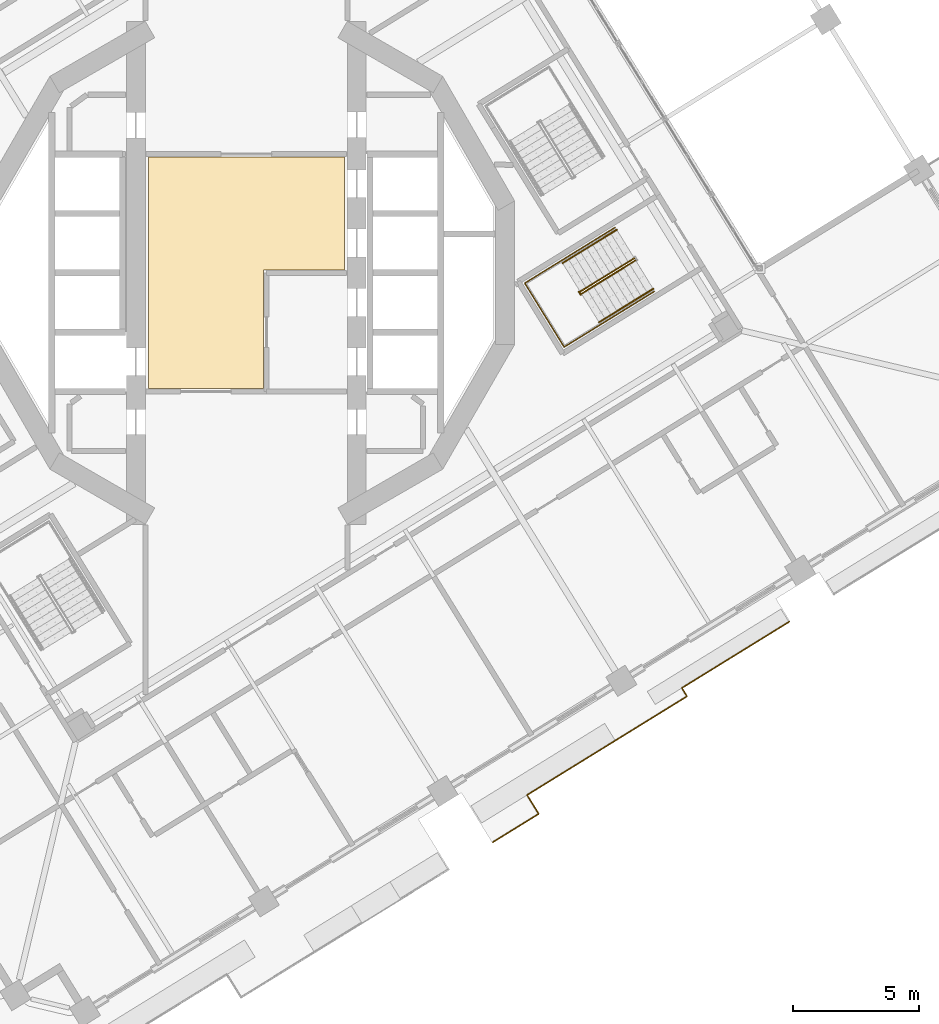
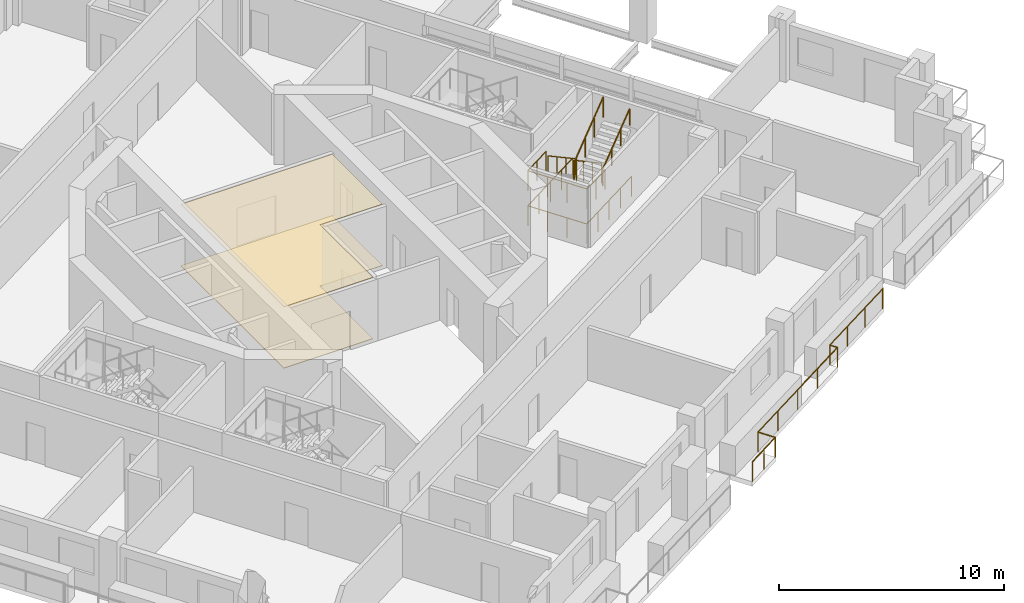
# One storey, part 16 of 21: 7 railings, 2 coverings.
"""IFC4 building model written with IfcOpenShell, lengths in metres."""

from ifc_helpers import new_model, si_unit, direction, frame, origin, origin_2d, place, context, subcontext, project, spatial, polyline, circle, outline, extrude, material, layer, layer_set, type_object, element, save


model = new_model("IFC4")

# Units and contexts
model_context = context("Model", 3, precision=1e-05, world=origin(), true_north=direction((0.0, 1.0)))
body_context = subcontext(model_context, "Body", "Model", "MODEL_VIEW")
ifc_project = project(units=[si_unit("LENGTHUNIT", "METRE"), si_unit("AREAUNIT", "SQUARE_METRE"), si_unit("VOLUMEUNIT", "CUBIC_METRE"), si_unit("PLANEANGLEUNIT", "RADIAN"), si_unit("MASSUNIT", "GRAM", prefix="KILO")], contexts=[model_context])

# Site, building, storey
site_placement = place(None, origin())
site = spatial("IfcSite", under=ifc_project, at=site_placement, CompositionType="ELEMENT")
building_placement = place(site_placement, origin())
building = spatial("IfcBuilding", under=site, at=building_placement, Name="Cantera Rosa Tower", CompositionType="ELEMENT")
storey_placement = place(building_placement, frame((0.0, 0.0, 185.60009765625)))
storey = spatial("IfcBuildingStorey", under=building, at=storey_placement, Name="L41", CompositionType="ELEMENT", Elevation=185.60009765625)

# Railings
ifc_material_1 = material(Name="Stainless steel and laminated glass", Category="steel")
railing_type_1 = type_object("IfcRailingType", Name="GUARD 1100", PredefinedType="BALUSTRADE", material=ifc_material_1)
railing_1_placement = place(storey_placement, frame((21.505615234375, -13.817138671875, 0.0)))
element("IfcRailing", 1, at=railing_1_placement, inside=storey, type_object=railing_type_1, Name="GUARD L41-7", PredefinedType="BALUSTRADE", context=body_context, shape_type="SweptSolid", body=[
    extrude(circle(Radius=0.030029296875, at=origin_2d()), frame((0.0, 0.0, 1.070068359375), z_axis=(-0.850339408664, -0.52623463405, 0.0), x_axis=(0.52623463405, -0.850339408664, 0.0)), (0.0, 0.0, 1.0), 0.070068359375),
    extrude(circle(Radius=0.030029296875, at=origin_2d()), frame((-0.0595703125, -0.036865234375, 1.070068359375), z_axis=(-0.851115563534, -0.524978378136, 0.0), x_axis=(0.524978378136, -0.851115563534, 0.0)), (0.0, 0.0, 1.0), 4.930908203125),
    extrude(circle(Radius=0.030029296875, at=origin_2d()), frame((-4.25634765625, -2.62548828125, 1.070068359375), z_axis=(0.524797740266, -0.851226956699, 0.0), x_axis=(0.851226956699, 0.524797740266, 0.0)), (0.0, 0.0, 1.0), 0.388916015625),
    extrude(circle(Radius=0.030029296875, at=origin_2d()), frame((-4.05224609375, -2.95654296875, 1.070068359375), z_axis=(-0.851109306272, -0.52498852252, 0.0), x_axis=(0.52498852252, -0.851109306272, 0.0)), (0.0, 0.0, 1.0), 7.442138671875),
    extrude(circle(Radius=0.030029296875, at=origin_2d()), frame((-10.38623046875, -6.863525390625, 1.070068359375), z_axis=(0.52496592251, -0.851123246189, 0.0), x_axis=(0.851123246189, 0.52496592251, 0.0)), (0.0, 0.0, 1.0), 0.8779296875),
    extrude(circle(Radius=0.030029296875, at=origin_2d()), frame((-9.92529296875, -7.61083984375, 1.070068359375), z_axis=(-0.851128332412, -0.524957676166, 0.0), x_axis=(0.524957676166, -0.851128332412, 0.0)), (0.0, 0.0, 1.0), 2.136962890625),
    extrude(circle(Radius=0.02490234375, at=origin_2d()), origin(), (0.0, 0.0, 1.0), 1.0400390625),
    extrude(circle(Radius=0.02490234375, at=origin_2d()), frame((-0.0595703125, -0.036865234375, 0.0)), (0.0, 0.0, 1.0), 1.0400390625),
    extrude(circle(Radius=0.02490234375, at=origin_2d()), frame((-1.45849609375, -0.899658203125, 0.0)), (0.0, 0.0, 1.0), 1.0400390625),
    extrude(circle(Radius=0.02490234375, at=origin_2d()), frame((-2.857421875, -1.7626953125, 0.0)), (0.0, 0.0, 1.0), 1.0400390625),
    extrude(circle(Radius=0.02490234375, at=origin_2d()), frame((-4.25634765625, -2.62548828125, 0.0)), (0.0, 0.0, 1.0), 1.0400390625),
    extrude(circle(Radius=0.02490234375, at=origin_2d()), frame((-4.05224609375, -2.95654296875, 0.0)), (0.0, 0.0, 1.0), 1.0400390625),
    extrude(circle(Radius=0.02490234375, at=origin_2d()), frame((-5.6357421875, -3.933349609375, 0.0)), (0.0, 0.0, 1.0), 1.0400390625),
    extrude(circle(Radius=0.02490234375, at=origin_2d()), frame((-7.21923828125, -4.91015625, 0.0)), (0.0, 0.0, 1.0), 1.0400390625),
    extrude(circle(Radius=0.02490234375, at=origin_2d()), frame((-8.802734375, -5.88671875, 0.0)), (0.0, 0.0, 1.0), 1.0400390625),
    extrude(circle(Radius=0.02490234375, at=origin_2d()), frame((-10.38623046875, -6.863525390625, 0.0)), (0.0, 0.0, 1.0), 1.0400390625),
    extrude(circle(Radius=0.02490234375, at=origin_2d()), frame((-9.92529296875, -7.61083984375, 0.0)), (0.0, 0.0, 1.0), 1.0400390625),
    extrude(circle(Radius=0.02490234375, at=origin_2d()), frame((-10.834716796875, -8.171875, 0.0)), (0.0, 0.0, 1.0), 1.0400390625),
    extrude(circle(Radius=0.02490234375, at=origin_2d()), frame((-11.744140625, -8.732666015625, 0.0)), (0.0, 0.0, 1.0), 1.0400390625),
])
ifc_material_2 = material(Name="Steel S355J2 (EN 10025-2)", Category="steel")
railing_type_2 = type_object("IfcRailingType", Name="STAIR GUARD 1100", PredefinedType="GUARDRAIL", material=ifc_material_2)
railing_2_placement = place(storey_placement, frame((15.36572265625, 0.57666015625, 0.18994140625)))
element("IfcRailing", 2, at=railing_2_placement, inside=storey, type_object=railing_type_2, Name="L41 ST-34 stair guard 1", PredefinedType="GUARDRAIL", context=body_context, shape_type="SweptSolid", body=[
    extrude(circle(Radius=0.02392578125, at=origin_2d()), frame((0.0, 0.0, 1.076171875), z_axis=(-0.704271375033, -0.434427613125, 0.561493080334), x_axis=(0.524999832248, -0.851102330005, 0.0)), (0.0, 0.0, 1.0), 3.04541015625),
    extrude(circle(Radius=0.02392578125, at=origin_2d()), frame((-2.144775390625, -1.322998046875, 2.7861328125), z_axis=(-0.997279572494, -0.073711968402, 0.0), x_axis=(0.073711968402, -0.997279572494, 0.0)), (0.0, 0.0, 1.0), 0.056396484375),
    extrude(circle(Radius=0.02392578125, at=origin_2d()), frame((-2.200927734375, -1.3271484375, 2.7861328125), z_axis=(0.525458245725, -0.850819388589, 0.0), x_axis=(0.850819388589, 0.525458245725, 0.0)), (0.0, 0.0, 1.0), 0.150146484375),
    extrude(circle(Radius=0.02099609375, at=origin_2d()), origin(), (0.0, 0.0, 1.0), 1.052001953125),
    extrude(circle(Radius=0.02099609375, at=origin_2d()), frame((-0.71484375, -0.44091796875, 0.570068359375)), (0.0, 0.0, 1.0), 1.052001953125),
    extrude(circle(Radius=0.02099609375, at=origin_2d()), frame((-1.429931640625, -0.882080078125, 1.139892578125)), (0.0, 0.0, 1.0), 1.052001953125),
    extrude(circle(Radius=0.02099609375, at=origin_2d()), frame((-2.144775390625, -1.322998046875, 1.7099609375)), (0.0, 0.0, 1.0), 1.052001953125),
    extrude(circle(Radius=0.02099609375, at=origin_2d()), frame((-2.200927734375, -1.3271484375, 1.7099609375)), (0.0, 0.0, 1.0), 1.052001953125),
    extrude(circle(Radius=0.02099609375, at=origin_2d()), frame((-2.1220703125, -1.454833984375, 1.7099609375)), (0.0, 0.0, 1.0), 1.052001953125),
])
railing_3_placement = place(storey_placement, frame((13.2724609375, -0.82958984375, 2.08984375)))
element("IfcRailing", 3, at=railing_3_placement, inside=storey, type_object=railing_type_2, Name="L41 ST-34 stair guard 2", PredefinedType="GUARDRAIL", context=body_context, shape_type="SweptSolid", body=[
    extrude(circle(Radius=0.02392578125, at=origin_2d()), frame((0.0, 0.0, 1.076171875), z_axis=(0.70429590169, 0.434362572038, 0.561512634654), x_axis=(-0.524929648476, 0.851145618652, 0.0)), (0.0, 0.0, 1.0), 3.045166015625),
    extrude(circle(Radius=0.02099609375, at=origin_2d()), origin(), (0.0, 0.0, 1.0), 1.052001953125),
    extrude(circle(Radius=0.02099609375, at=origin_2d()), frame((0.71484375, 0.44091796875, 0.570068359375)), (0.0, 0.0, 1.0), 1.052001953125),
    extrude(circle(Radius=0.02099609375, at=origin_2d()), frame((1.429931640625, 0.8818359375, 1.139892578125)), (0.0, 0.0, 1.0), 1.052001953125),
    extrude(circle(Radius=0.02099609375, at=origin_2d()), frame((2.144775390625, 1.32275390625, 1.7099609375)), (0.0, 0.0, 1.0), 1.052001953125),
])
railing_4_placement = place(storey_placement, frame((14.601806640625, 1.79248046875, 0.0)))
element("IfcRailing", 4, at=railing_4_placement, inside=storey, type_object=railing_type_2, Name="L41 ST-34 stair guard 4", PredefinedType="GUARDRAIL", context=body_context, shape_type="SweptSolid", body=[
    extrude(circle(Radius=0.02392578125, at=origin_2d()), frame((0.0, 0.0, 1.076171875), z_axis=(-0.851116735059, -0.524976478809, 0.0), x_axis=(0.524976478809, -0.851116735059, 0.0)), (0.0, 0.0, 1.0), 4.197998046875),
    extrude(circle(Radius=0.02392578125, at=origin_2d()), frame((-3.572998046875, -2.203857421875, 1.076171875), z_axis=(0.524950242429, -0.851132917336, 0.0), x_axis=(0.851132917336, 0.524950242429, 0.0)), (0.0, 0.0, 1.0), 2.969970703125),
    extrude(circle(Radius=0.02392578125, at=origin_2d()), frame((-2.013916015625, -4.731689453125, 1.076171875), z_axis=(0.851116735059, 0.524976478809, 0.0), x_axis=(-0.524976478809, 0.851116735059, 0.0)), (0.0, 0.0, 1.0), 4.197998046875),
    extrude(circle(Radius=0.02099609375, at=origin_2d()), origin(), (0.0, 0.0, 1.0), 1.052001953125),
    extrude(circle(Radius=0.02099609375, at=origin_2d()), frame((-0.893310546875, -0.551025390625, 0.0)), (0.0, 0.0, 1.0), 1.052001953125),
    extrude(circle(Radius=0.02099609375, at=origin_2d()), frame((-1.78662109375, -1.10205078125, 0.0)), (0.0, 0.0, 1.0), 1.052001953125),
    extrude(circle(Radius=0.02099609375, at=origin_2d()), frame((-2.6796875, -1.65283203125, 0.0)), (0.0, 0.0, 1.0), 1.052001953125),
    extrude(circle(Radius=0.02099609375, at=origin_2d()), frame((-3.572998046875, -2.203857421875, 0.0)), (0.0, 0.0, 1.0), 1.052001953125),
    extrude(circle(Radius=0.02099609375, at=origin_2d()), frame((-3.05322265625, -3.04638671875, 0.0)), (0.0, 0.0, 1.0), 1.052001953125),
    extrude(circle(Radius=0.02099609375, at=origin_2d()), frame((-2.53369140625, -3.88916015625, 0.0)), (0.0, 0.0, 1.0), 1.052001953125),
    extrude(circle(Radius=0.02099609375, at=origin_2d()), frame((-2.013916015625, -4.731689453125, 0.0)), (0.0, 0.0, 1.0), 1.052001953125),
    extrude(circle(Radius=0.02099609375, at=origin_2d()), frame((-1.12060546875, -4.1806640625, 0.0)), (0.0, 0.0, 1.0), 1.052001953125),
    extrude(circle(Radius=0.02099609375, at=origin_2d()), frame((-0.2275390625, -3.6298828125, 0.0)), (0.0, 0.0, 1.0), 1.052001953125),
    extrude(circle(Radius=0.02099609375, at=origin_2d()), frame((0.665771484375, -3.078857421875, 0.0)), (0.0, 0.0, 1.0), 1.052001953125),
    extrude(circle(Radius=0.02099609375, at=origin_2d()), frame((1.55908203125, -2.52783203125, 0.0)), (0.0, 0.0, 1.0), 1.052001953125),
])
railing_5_placement = place(storey_placement, frame((12.477294921875, 0.482177734375, 1.89990234375)))
element("IfcRailing", 5, at=railing_5_placement, inside=storey, type_object=railing_type_2, Name="L41 ST-34 stair guard 5", PredefinedType="GUARDRAIL", context=body_context, shape_type="SweptSolid", body=[
    extrude(circle(Radius=0.02392578125, at=origin_2d()), frame((0.0, 0.0, 1.076171875), z_axis=(-0.851086474909, -0.525025534833, 0.0), x_axis=(0.525025534833, -0.851086474909, 0.0)), (0.0, 0.0, 1.0), 1.701904296875),
    extrude(circle(Radius=0.02392578125, at=origin_2d()), frame((-1.448486328125, -0.8935546875, 1.076171875), z_axis=(0.524950242429, -0.851132917336, 0.0), x_axis=(0.851132917336, 0.524950242429, 0.0)), (0.0, 0.0, 1.0), 2.969970703125),
    extrude(circle(Radius=0.02392578125, at=origin_2d()), frame((0.110595703125, -3.42138671875, 1.076171875), z_axis=(0.851126009811, 0.524961441845, 0.0), x_axis=(-0.524961441845, 0.851126009811, 0.0)), (0.0, 0.0, 1.0), 1.7021484375),
    extrude(circle(Radius=0.02099609375, at=origin_2d()), origin(), (0.0, 0.0, 1.0), 1.052001953125),
    extrude(circle(Radius=0.02099609375, at=origin_2d()), frame((-0.72412109375, -0.44677734375, 0.0)), (0.0, 0.0, 1.0), 1.052001953125),
    extrude(circle(Radius=0.02099609375, at=origin_2d()), frame((-1.448486328125, -0.8935546875, 0.0)), (0.0, 0.0, 1.0), 1.052001953125),
    extrude(circle(Radius=0.02099609375, at=origin_2d()), frame((-0.9287109375, -1.736083984375, 0.0)), (0.0, 0.0, 1.0), 1.052001953125),
    extrude(circle(Radius=0.02099609375, at=origin_2d()), frame((-0.4091796875, -2.578857421875, 0.0)), (0.0, 0.0, 1.0), 1.052001953125),
    extrude(circle(Radius=0.02099609375, at=origin_2d()), frame((0.110595703125, -3.42138671875, 0.0)), (0.0, 0.0, 1.0), 1.052001953125),
    extrude(circle(Radius=0.02099609375, at=origin_2d()), frame((0.8349609375, -2.974609375, 0.0)), (0.0, 0.0, 1.0), 1.052001953125),
    extrude(circle(Radius=0.02099609375, at=origin_2d()), frame((1.559326171875, -2.52783203125, 0.0)), (0.0, 0.0, 1.0), 1.052001953125),
])
ifc_material_3 = material(Name="Steel S355J2 (EN 10025-2)", Category="steel")
railing_type_3 = type_object("IfcRailingType", Name="STAIR HANDRAIL 900", PredefinedType="HANDRAIL", material=ifc_material_3)
railing_6_placement = place(storey_placement, frame((14.669677734375, 1.705322265625, 0.18994140625)))
element("IfcRailing", 6, at=railing_6_placement, inside=storey, type_object=railing_type_3, Name="L41 ST-34 stair handrail 1", PredefinedType="HANDRAIL", context=body_context, shape_type="SweptSolid", body=[
    extrude(circle(Radius=0.02392578125, at=origin_2d()), frame((0.0, 0.0, 0.8759765625), z_axis=(-0.704271375033, -0.434427613125, 0.561493080334), x_axis=(0.524999832248, -0.851102330005, 0.0)), (0.0, 0.0, 1.0), 3.04541015625),
    extrude(circle(Radius=0.02099609375, at=origin_2d()), origin(), (0.0, 0.0, 1.0), 0.851806640625),
    extrude(circle(Radius=0.02099609375, at=origin_2d()), frame((-0.71484375, -0.44091796875, 0.570068359375)), (0.0, 0.0, 1.0), 0.851806640625),
    extrude(circle(Radius=0.02099609375, at=origin_2d()), frame((-1.429931640625, -0.882080078125, 1.139892578125)), (0.0, 0.0, 1.0), 0.851806640625),
    extrude(circle(Radius=0.02099609375, at=origin_2d()), frame((-2.144775390625, -1.322998046875, 1.7099609375)), (0.0, 0.0, 1.0), 0.851806640625),
])
railing_7_placement = place(storey_placement, frame((13.968505859375, -1.958251953125, 2.08984375)))
element("IfcRailing", 7, at=railing_7_placement, inside=storey, type_object=railing_type_3, Name="L41 ST-34 stair handrail 2", PredefinedType="HANDRAIL", context=body_context, shape_type="SweptSolid", body=[
    extrude(circle(Radius=0.02392578125, at=origin_2d()), frame((0.0, 0.0, 0.8759765625), z_axis=(0.704311776172, 0.434403086168, 0.561461379502), x_axis=(-0.524956545799, 0.851129029597, 0.0)), (0.0, 0.0, 1.0), 3.045654296875),
    extrude(circle(Radius=0.02099609375, at=origin_2d()), origin(), (0.0, 0.0, 1.0), 0.851806640625),
    extrude(circle(Radius=0.02099609375, at=origin_2d()), frame((0.715087890625, 0.44091796875, 0.570068359375)), (0.0, 0.0, 1.0), 0.851806640625),
    extrude(circle(Radius=0.02099609375, at=origin_2d()), frame((1.429931640625, 0.882080078125, 1.139892578125)), (0.0, 0.0, 1.0), 0.851806640625),
    extrude(circle(Radius=0.02099609375, at=origin_2d()), frame((2.14501953125, 1.322998046875, 1.7099609375)), (0.0, 0.0, 1.0), 0.851806640625),
])

# Coverings
ifc_material_4 = material(Name="Limestone paving", Category="masonry")
ifc_layer_1 = layer(ifc_material_4, 0.02490234375)
ifc_layer_set_1 = layer_set([ifc_layer_1], Name="STONE FLOOR FINISH 25")
covering_type_1 = type_object("IfcCoveringType", Name="STONE FLOOR FINISH 25", PredefinedType="FLOORING", material=ifc_layer_set_1)
covering_1_placement = place(storey_placement, origin())
element("IfcCovering", 8, at=covering_1_placement, inside=storey, type_object=covering_type_1, Name="STONE FLOOR FINISH L41", PredefinedType="FLOORING", context=body_context, shape_type="SweptSolid", body=[
    extrude(outline(polyline([(3.8798828125, 4.580078125), (3.8798828125, 0.1201171875), (0.679931640625, 0.1201171875), (0.679931640625, -4.580078125), (-3.8798828125, -4.580078125), (-3.8798828125, 4.580078125), (3.8798828125, 4.580078125)])), origin(), (0.0, 0.0, 1.0), 0.02490234375),
])
ifc_material_5 = material(Name="Gypsum ceiling tile")
ifc_layer_2 = layer(ifc_material_5, 0.030029296875)
ifc_layer_set_2 = layer_set([ifc_layer_2], Name="SUSPENDED CEILING 30")
covering_type_2 = type_object("IfcCoveringType", Name="SUSPENDED CEILING 30", PredefinedType="CEILING", material=ifc_layer_set_2)
covering_2_placement = place(storey_placement, frame((0.0, 0.0, 3.31982421875)))
element("IfcCovering", 9, at=covering_2_placement, inside=storey, type_object=covering_type_2, Name="SUSPENDED CEILING L41", PredefinedType="CEILING", context=body_context, shape_type="SweptSolid", body=[
    extrude(outline(polyline([(3.8798828125, 4.580078125), (3.8798828125, 0.1201171875), (0.679931640625, 0.1201171875), (0.679931640625, -4.580078125), (-3.8798828125, -4.580078125), (-3.8798828125, 4.580078125), (3.8798828125, 4.580078125)])), origin(), (0.0, 0.0, 1.0), 0.030029296875),
])

save(model, "model.ifc")
